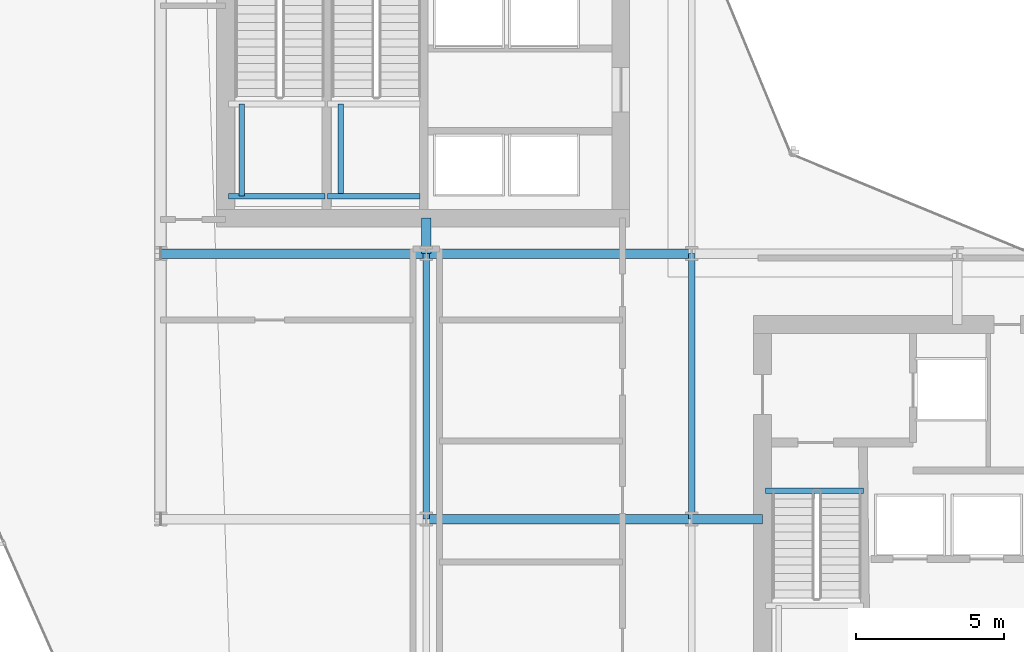
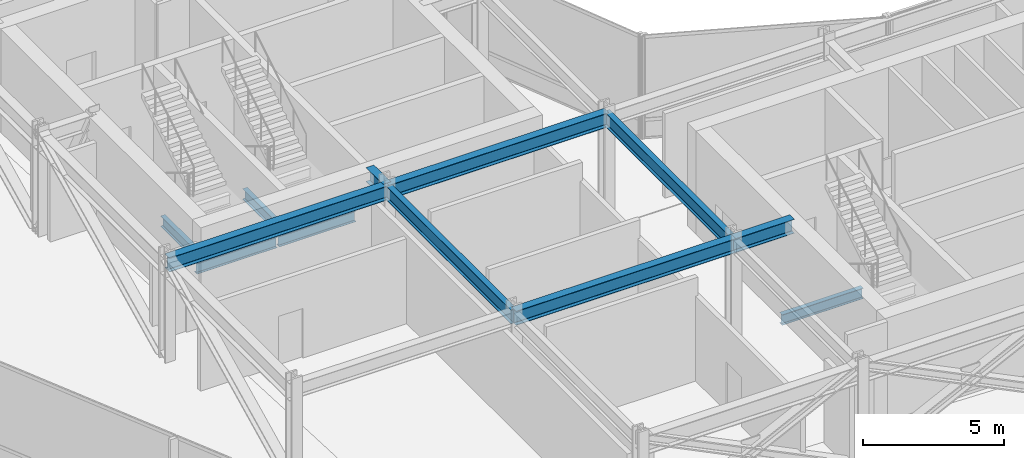
# One storey, part 8 of 42: 12 beams.
"""IFC4 building model written with IfcOpenShell, lengths in metres."""

from ifc_helpers import new_model, si_unit, direction, frame, origin, origin_2d, place, context, subcontext, project, spatial, i_section, extrude, material, material_profile, profile_set, type_object, element, save


model = new_model("IFC4")

# Units and contexts
model_context = context("Model", 3, precision=1e-05, world=origin(), true_north=direction((0.0, 1.0)))
body_context = subcontext(model_context, "Body", "Model", "MODEL_VIEW")
ifc_project = project(units=[si_unit("LENGTHUNIT", "METRE"), si_unit("AREAUNIT", "SQUARE_METRE"), si_unit("VOLUMEUNIT", "CUBIC_METRE"), si_unit("PLANEANGLEUNIT", "RADIAN"), si_unit("MASSUNIT", "GRAM", prefix="KILO")], contexts=[model_context])

# Site, building, storey
site_placement = place(None, origin())
site = spatial("IfcSite", under=ifc_project, at=site_placement, CompositionType="ELEMENT")
building_placement = place(site_placement, origin())
building = spatial("IfcBuilding", under=site, at=building_placement, Name="Solvaryn Broadcast Tower", CompositionType="ELEMENT")
storey_placement = place(building_placement, frame((0.0, 0.0, 100.199951171875)))
storey = spatial("IfcBuildingStorey", under=building, at=storey_placement, Name="L24", CompositionType="ELEMENT", Elevation=100.199951171875)

# Beams
ifc_material_1 = material(Name="Steel ASTM A992 Grade 50", Category="steel")
ifc_material_profile_1 = material_profile(ifc_material_1, i_section(OverallWidth=0.323974609375, OverallDepth=0.611083984375, WebThickness=0.0126953125, FlangeThickness=0.01904296875, FilletRadius=0.014892578125, at=origin_2d()))
ifc_profile_set_1 = profile_set([ifc_material_profile_1], Name="Steel ASTM A992 Grade 50")
beam_type_1 = type_object("IfcBeamType", Name="BM-B1-W24X104", PredefinedType="BEAM", material=ifc_profile_set_1)
for number, where, z_axis, x_axis, name in (
    (1, (18.0, 18.0, 4.16455078125), (1.0, 0.0, 0.0), (0.0, 1.0, 0.0), "L24 Primary Beam X (18-27 @ Y=18)"),
    (2, (9.0, 27.0, 4.16455078125), (1.0, 0.0, 0.0), (0.0, 1.0, 0.0), "L24 Primary Beam X (9-18 @ Y=27)"),
    (3, (18.0, 27.0, 4.16455078125), (1.0, 0.0, 0.0), (0.0, 1.0, 0.0), "L24 Primary Beam X (18-27 @ Y=27)"),
):
    element("IfcBeam", number, at=place(storey_placement, frame(where, z_axis=z_axis, x_axis=x_axis)), inside=storey, type_object=beam_type_1, Name=name, PredefinedType="BEAM", context=body_context, shape_type="SweptSolid", body=[
        extrude(i_section(OverallWidth=0.323974609375, OverallDepth=0.611083984375, WebThickness=0.0126953125, FlangeThickness=0.01904296875, FilletRadius=0.014892578125, at=origin_2d()), origin(), (0.0, 0.0, 1.0), 9.0),
    ])
beam_1_placement = place(storey_placement, frame((18.0, 27.0, 4.16455078125), z_axis=(0.0, 1.0, 0.0), x_axis=(-1.0, 0.0, 0.0)))
element("IfcBeam", 4, at=beam_1_placement, inside=storey, type_object=beam_type_1, Name="L24 Core Tie Beam CTW4", PredefinedType="BEAM", context=body_context, shape_type="SweptSolid", body=[
    extrude(i_section(OverallWidth=0.323974609375, OverallDepth=0.611083984375, WebThickness=0.0126953125, FlangeThickness=0.01904296875, FilletRadius=0.014892578125, at=origin_2d()), origin(), (0.0, 0.0, 1.0), 1.199951171875),
])
beam_2_placement = place(storey_placement, frame((27.0, 18.0, 4.16455078125), z_axis=(1.0, 0.0, 0.0), x_axis=(0.0, 1.0, 0.0)))
element("IfcBeam", 5, at=beam_2_placement, inside=storey, type_object=beam_type_1, Name="L24 Core Tie Beam CTE4", PredefinedType="BEAM", context=body_context, shape_type="SweptSolid", body=[
    extrude(i_section(OverallWidth=0.323974609375, OverallDepth=0.611083984375, WebThickness=0.0126953125, FlangeThickness=0.01904296875, FilletRadius=0.014892578125, at=origin_2d()), origin(), (0.0, 0.0, 1.0), 2.39990234375),
])
ifc_material_2 = material(Name="Steel ASTM A992 Grade 50", Category="steel")
ifc_material_profile_2 = material_profile(ifc_material_2, i_section(OverallWidth=0.22802734375, OverallDepth=0.60791015625, WebThickness=0.01123046875, FlangeThickness=0.017333984375, FilletRadius=0.014892578125, at=origin_2d()))
ifc_profile_set_2 = profile_set([ifc_material_profile_2], Name="Steel ASTM A992 Grade 50")
beam_type_2 = type_object("IfcBeamType", Name="BM-B2-W24X76", PredefinedType="BEAM", material=ifc_profile_set_2)
for number, where, z_axis, x_axis, name in (
    (6, (18.0, 18.0, 4.166015625), (0.0, 1.0, 0.0), (-1.0, 0.0, 0.0), "L24 Primary Beam Y (18-27 @ X=18)"),
    (7, (27.0, 18.0, 4.166015625), (0.0, 1.0, 0.0), (-1.0, 0.0, 0.0), "L24 Primary Beam Y (18-27 @ X=27)"),
):
    element("IfcBeam", number, at=place(storey_placement, frame(where, z_axis=z_axis, x_axis=x_axis)), inside=storey, type_object=beam_type_2, Name=name, PredefinedType="BEAM", context=body_context, shape_type="SweptSolid", body=[
        extrude(i_section(OverallWidth=0.22802734375, OverallDepth=0.60791015625, WebThickness=0.01123046875, FlangeThickness=0.017333984375, FilletRadius=0.014892578125, at=origin_2d()), origin(), (0.0, 0.0, 1.0), 9.0),
    ])
ifc_material_3 = material(Name="Steel ASTM A992 Grade 50", Category="steel")
ifc_material_profile_3 = material_profile(ifc_material_3, i_section(OverallWidth=0.18994140625, OverallDepth=0.45703125, WebThickness=0.009033203125, FlangeThickness=0.014404296875, FilletRadius=0.011962890625, at=origin_2d()))
ifc_profile_set_3 = profile_set([ifc_material_profile_3], Name="Steel ASTM A992 Grade 50")
beam_type_3 = type_object("IfcBeamType", Name="BM-B4-W18X50", PredefinedType="BEAM", material=ifc_profile_set_3)
beam_3_placement = place(storey_placement, frame((11.300048828125, 28.949951171875, 1.971435546875), z_axis=(1.0, 0.0, 0.0), x_axis=(0.0, 1.0, 0.0)))
element("IfcBeam", 8, at=beam_3_placement, inside=storey, type_object=beam_type_3, Name="L24 ST1 Landing Support Beam 1A", PredefinedType="BEAM", context=body_context, shape_type="SweptSolid", body=[
    extrude(i_section(OverallWidth=0.18994140625, OverallDepth=0.45703125, WebThickness=0.009033203125, FlangeThickness=0.014404296875, FilletRadius=0.011962890625, at=origin_2d()), origin(), (0.0, 0.0, 1.0), 3.280029296875),
])
beam_4_placement = place(storey_placement, frame((11.75, 28.949951171875, 1.971435546875), z_axis=(0.0, 1.0, 0.0), x_axis=(-1.0, 0.0, 0.0)))
element("IfcBeam", 9, at=beam_4_placement, inside=storey, type_object=beam_type_3, Name="L24 ST1 Landing Cross Stringer 1C", PredefinedType="BEAM", context=body_context, shape_type="SweptSolid", body=[
    extrude(i_section(OverallWidth=0.18994140625, OverallDepth=0.45703125, WebThickness=0.009033203125, FlangeThickness=0.014404296875, FilletRadius=0.011962890625, at=origin_2d()), origin(), (0.0, 0.0, 1.0), 3.1201171875),
])
beam_5_placement = place(storey_placement, frame((14.659912109375, 28.949951171875, 1.971435546875), z_axis=(1.0, 0.0, 0.0), x_axis=(0.0, 1.0, 0.0)))
element("IfcBeam", 10, at=beam_5_placement, inside=storey, type_object=beam_type_3, Name="L24 ST2 Landing Support Beam 1A", PredefinedType="BEAM", context=body_context, shape_type="SweptSolid", body=[
    extrude(i_section(OverallWidth=0.18994140625, OverallDepth=0.45703125, WebThickness=0.009033203125, FlangeThickness=0.014404296875, FilletRadius=0.011962890625, at=origin_2d()), origin(), (0.0, 0.0, 1.0), 3.14013671875),
])
beam_6_placement = place(storey_placement, frame((15.110107421875, 28.949951171875, 1.971435546875), z_axis=(0.0, 1.0, 0.0), x_axis=(-1.0, 0.0, 0.0)))
element("IfcBeam", 11, at=beam_6_placement, inside=storey, type_object=beam_type_3, Name="L24 ST2 Landing Cross Stringer 1C", PredefinedType="BEAM", context=body_context, shape_type="SweptSolid", body=[
    extrude(i_section(OverallWidth=0.18994140625, OverallDepth=0.45703125, WebThickness=0.009033203125, FlangeThickness=0.014404296875, FilletRadius=0.011962890625, at=origin_2d()), origin(), (0.0, 0.0, 1.0), 3.1201171875),
])
beam_7_placement = place(storey_placement, frame((29.5, 18.9599609375, -0.558349609375), z_axis=(1.0, 0.0, 0.0), x_axis=(0.0, 1.0, 0.0)))
element("IfcBeam", 12, at=beam_7_placement, inside=storey, type_object=beam_type_3, Name="L24 ST3 Stair Well Trimmer Beam", PredefinedType="BEAM", context=body_context, shape_type="SweptSolid", body=[
    extrude(i_section(OverallWidth=0.18994140625, OverallDepth=0.45703125, WebThickness=0.009033203125, FlangeThickness=0.014404296875, FilletRadius=0.011962890625, at=origin_2d()), origin(), (0.0, 0.0, 1.0), 3.320068359375),
])

save(model, "model.ifc")
